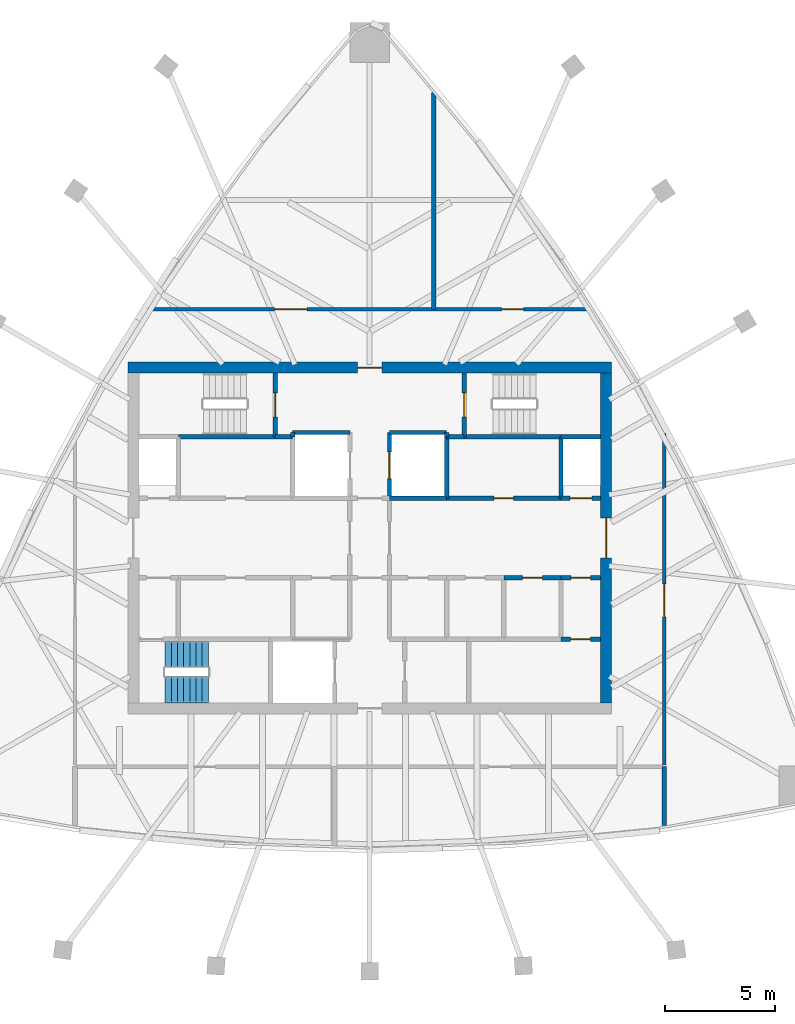
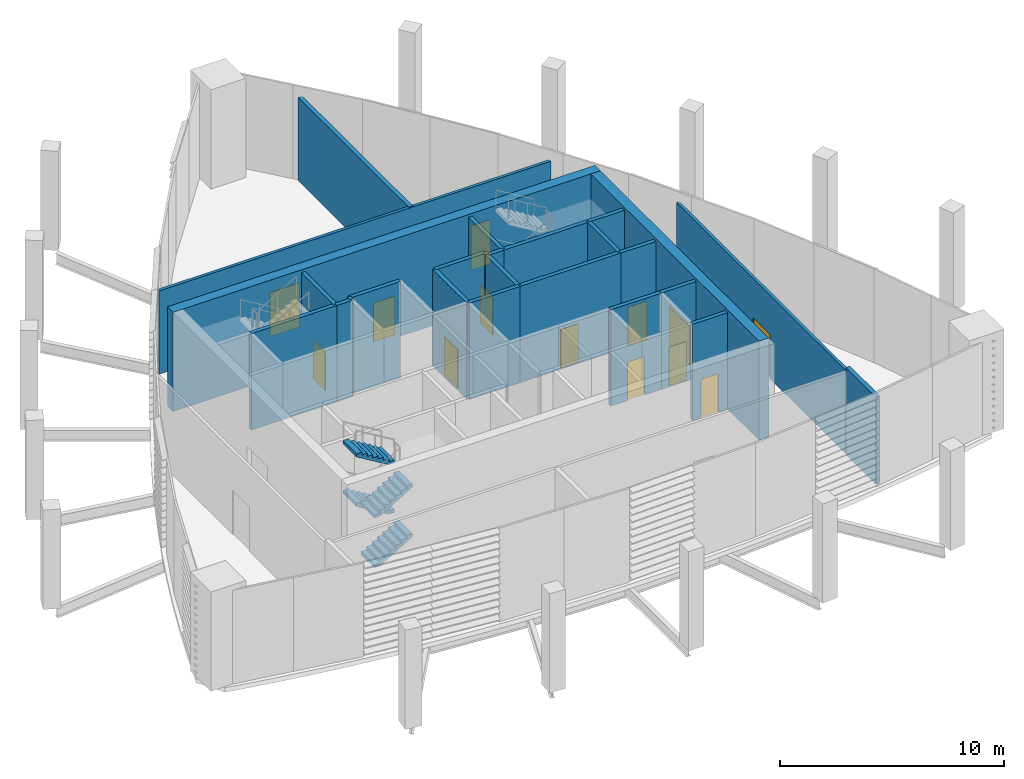
# One storey, part 4 of 8: 26 walls, 13 doors, 4 stair flights, 13 openings, 1 element without a shape of its own.
"""IFC4 building model written with IfcOpenShell, lengths in metres."""

from ifc_helpers import new_model, si_unit, direction, frame, frame_2d, origin, place, context, subcontext, project, spatial, polyline, rectangle, outline, extrude, material, layer, layer_set, type_object, element, fill, aggregate, save


model = new_model("IFC4")

# Units and contexts
model_context = context("Model", 3, precision=1e-05, world=origin(), true_north=direction((0.0, 1.0)))
body_context = subcontext(model_context, "Body", "Model", "MODEL_VIEW")
ifc_project = project(units=[si_unit("LENGTHUNIT", "METRE"), si_unit("AREAUNIT", "SQUARE_METRE"), si_unit("VOLUMEUNIT", "CUBIC_METRE"), si_unit("PLANEANGLEUNIT", "RADIAN"), si_unit("MASSUNIT", "GRAM", prefix="KILO")], contexts=[model_context])

# Site, building, storey
site_placement = place(None, origin())
site = spatial("IfcSite", under=ifc_project, at=site_placement, CompositionType="ELEMENT")
building_placement = place(site_placement, origin())
building = spatial("IfcBuilding", under=site, at=building_placement, Name="Sierra Prisma Convention Tower", CompositionType="ELEMENT")
storey_placement = place(building_placement, frame((0.0, 0.0, 350.199951171875)))
storey = spatial("IfcBuildingStorey", under=building, at=storey_placement, Name="L78", CompositionType="ELEMENT", Elevation=350.199951171875)

# Walls
ifc_material_1 = material(Name="Concrete C30/37", Category="concrete")
ifc_layer_1 = layer(ifc_material_1, 0.199951171875)
ifc_layer_set_1 = layer_set([ifc_layer_1], Name="Core wall RC 200 C30/37")
wall_type_1 = type_object("IfcWallType", Name="Core wall RC 200 C30/37", PredefinedType="SOLIDWALL", material=ifc_layer_set_1)
wall_1_placement = place(storey_placement, frame((-4.300048828125, 4.60009765625, 0.0), z_axis=(0.0, 0.0, 1.0), x_axis=(-1.0, 0.0, 0.0)))
element("IfcWall", 1, at=wall_1_placement, inside=storey, type_object=wall_type_1, Name="Core wall L78 10", PredefinedType="SOLIDWALL", context=body_context, shape_type="SweptSolid", body=[
    extrude(rectangle(XDim=4.39990234375, YDim=0.199951171875, at=frame_2d((2.199951171875, 0.0))), origin(), (0.0, 0.0, 1.0), 5.25),
])
wall_2_placement = place(storey_placement, frame((-3.5, 4.60009765625, 0.0), z_axis=(0.0, 0.0, 1.0), x_axis=(-1.0, 0.0, 0.0)))
element("IfcWall", 2, at=wall_2_placement, inside=storey, type_object=wall_type_1, Name="Core wall L78 13", PredefinedType="SOLIDWALL", context=body_context, shape_type="SweptSolid", body=[
    extrude(rectangle(XDim=0.800048828125, YDim=0.199951171875, at=frame_2d((0.39990234375, 0.0))), origin(), (0.0, 0.0, 1.0), 5.25),
])

# Wall, opening, door
wall_3_placement = place(storey_placement, frame((-4.300048828125, 4.60009765625, 0.0), z_axis=(0.0, 0.0, 1.0), x_axis=(0.0, 1.0, 0.0)))
wall_3 = element("IfcWall", 3, at=wall_3_placement, inside=storey, type_object=wall_type_1, Name="Core wall L78 14", PredefinedType="SOLIDWALL", context=body_context, shape_type="SweptSolid", body=[
    extrude(rectangle(XDim=2.89990234375, YDim=0.199951171875, at=frame_2d((1.449951171875, 0.0))), origin(), (0.0, 0.0, 1.0), 5.25),
])
opening_1_placement = place(wall_3_placement, frame((0.89990234375, 0.0, 0.0)))
opening_1 = element("IfcOpeningElement", 4, at=opening_1_placement, cuts=wall_3, Name="Opening L78-D012", PredefinedType="OPENING", context=body_context, shape_type="SweptSolid", body=[
    extrude(rectangle(XDim=1.10009765625, YDim=2.10009765625, at=frame_2d((0.550048828125, 1.050048828125))), frame((0.0, 0.10009765625, 0.0), z_axis=(0.0, -1.0, 0.0), x_axis=(1.0, 0.0, 0.0)), (0.0, 0.0, 1.0), 0.199951171875),
])
ifc_material_2 = material(Name="Steel fire door leaf", Category="steel")
door_type_1 = type_object("IfcDoorType", Name="Door 1100x2100 FD90S", OperationType="SINGLE_SWING_LEFT", PredefinedType="DOOR", material=ifc_material_2)
door_1_placement = place(opening_1_placement, origin())
door_1 = element("IfcDoor", 5, at=door_1_placement, inside=storey, type_object=door_type_1, Name="Door L78 18", OperationType="SINGLE_SWING_RIGHT", OverallHeight=2.10009765625, OverallWidth=1.10009765625, PredefinedType="DOOR", context=body_context, shape_type="SweptSolid", body=[
    extrude(rectangle(XDim=1.10009765625, YDim=2.10009765625, at=frame_2d((0.550048828125, 1.050048828125))), frame((0.0, 0.02490234375, 0.0), z_axis=(0.0, -1.0, 0.0), x_axis=(1.0, 0.0, 0.0)), (0.0, 0.0, 1.0), 0.050048828125),
])
fill(opening_1, door_1)

# Walls
wall_4_placement = place(storey_placement, frame((-0.89990234375, 4.800048828125, 0.0), z_axis=(0.0, 0.0, 1.0), x_axis=(-1.0, 0.0, 0.0)))
element("IfcWall", 6, at=wall_4_placement, inside=storey, type_object=wall_type_1, Name="Core wall L78 21", PredefinedType="SOLIDWALL", context=body_context, shape_type="SweptSolid", body=[
    extrude(rectangle(XDim=2.60009765625, YDim=0.199951171875, at=frame_2d((1.300048828125, 0.0))), origin(), (0.0, 0.0, 1.0), 5.25),
])
wall_5_placement = place(storey_placement, frame((-3.5, 4.800048828125, 0.0), z_axis=(0.0, 0.0, 1.0), x_axis=(0.0, -1.0, 0.0)))
element("IfcWall", 7, at=wall_5_placement, inside=storey, type_object=wall_type_1, Name="Core wall L78 22", PredefinedType="SOLIDWALL", context=body_context, shape_type="SweptSolid", body=[
    extrude(rectangle(XDim=0.199951171875, YDim=0.199951171875, at=frame_2d((0.10009765625, 0.0))), origin(), (0.0, 0.0, 1.0), 5.25),
])
wall_6_placement = place(storey_placement, frame((3.5, 1.800048828125, 0.0), z_axis=(0.0, 0.0, 1.0), x_axis=(-1.0, 0.0, 0.0)))
element("IfcWall", 8, at=wall_6_placement, inside=storey, type_object=wall_type_1, Name="Core wall L78 33", PredefinedType="SOLIDWALL", context=body_context, shape_type="SweptSolid", body=[
    extrude(rectangle(XDim=2.60009765625, YDim=0.199951171875, at=frame_2d((1.300048828125, 0.0))), origin(), (0.0, 0.0, 1.0), 5.25),
])
wall_7_placement = place(storey_placement, frame((3.5, 4.60009765625, 0.0), z_axis=(0.0, 0.0, 1.0), x_axis=(0.0, 1.0, 0.0)))
element("IfcWall", 9, at=wall_7_placement, inside=storey, type_object=wall_type_1, Name="Core wall L78 34", PredefinedType="SOLIDWALL", context=body_context, shape_type="SweptSolid", body=[
    extrude(rectangle(XDim=0.199951171875, YDim=0.199951171875, at=frame_2d((0.10009765625, 0.0))), origin(), (0.0, 0.0, 1.0), 5.25),
])
wall_8_placement = place(storey_placement, frame((3.5, 4.800048828125, 0.0), z_axis=(0.0, 0.0, 1.0), x_axis=(-1.0, 0.0, 0.0)))
element("IfcWall", 10, at=wall_8_placement, inside=storey, type_object=wall_type_1, Name="Core wall L78 35", PredefinedType="SOLIDWALL", context=body_context, shape_type="SweptSolid", body=[
    extrude(rectangle(XDim=2.60009765625, YDim=0.199951171875, at=frame_2d((1.300048828125, 0.0))), origin(), (0.0, 0.0, 1.0), 5.25),
])

# Wall, opening, door
wall_9_placement = place(storey_placement, frame((0.89990234375, 4.800048828125, 0.0), z_axis=(0.0, 0.0, 1.0), x_axis=(0.0, -1.0, 0.0)))
wall_9 = element("IfcWall", 11, at=wall_9_placement, inside=storey, type_object=wall_type_1, Name="Core wall L78 36", PredefinedType="SOLIDWALL", context=body_context, shape_type="SweptSolid", body=[
    extrude(rectangle(XDim=3.0, YDim=0.199951171875, at=frame_2d((1.5, 0.0))), origin(), (0.0, 0.0, 1.0), 5.25),
])
opening_2_placement = place(wall_9_placement, frame((0.89990234375, 0.0, 0.0)))
opening_2 = element("IfcOpeningElement", 12, at=opening_2_placement, cuts=wall_9, Name="Opening L78-D002", PredefinedType="OPENING", context=body_context, shape_type="SweptSolid", body=[
    extrude(rectangle(XDim=1.199951171875, YDim=2.10009765625, at=frame_2d((0.60009765625, 1.050048828125))), frame((0.0, 0.10009765625, 0.0), z_axis=(0.0, -1.0, 0.0), x_axis=(1.0, 0.0, 0.0)), (0.0, 0.0, 1.0), 0.199951171875),
])
ifc_material_3 = material(Name="Steel fire door leaf", Category="steel")
door_type_2 = type_object("IfcDoorType", Name="Door 1200x2100 EI 90 sliding lift landing", OperationType="SLIDING_TO_LEFT", PredefinedType="DOOR", material=ifc_material_3)
door_2_placement = place(opening_2_placement, origin())
door_2 = element("IfcDoor", 13, at=door_2_placement, inside=storey, type_object=door_type_2, Name="Door L78 8", OperationType="SLIDING_TO_RIGHT", OverallHeight=2.10009765625, OverallWidth=1.199951171875, PredefinedType="DOOR", context=body_context, shape_type="SweptSolid", body=[
    extrude(rectangle(XDim=1.199951171875, YDim=2.10009765625, at=frame_2d((0.60009765625, 1.050048828125))), frame((0.0, 0.02490234375, 0.0), z_axis=(0.0, -1.0, 0.0), x_axis=(1.0, 0.0, 0.0)), (0.0, 0.0, 1.0), 0.050048828125),
])
fill(opening_2, door_2)

wall_10_placement = place(storey_placement, frame((3.5, 1.800048828125, 0.0), z_axis=(0.0, 0.0, 1.0), x_axis=(1.0, 0.0, 0.0)))
wall_10 = element("IfcWall", 14, at=wall_10_placement, inside=storey, type_object=wall_type_1, Name="Core wall L78 42", PredefinedType="SOLIDWALL", context=body_context, shape_type="SweptSolid", body=[
    extrude(rectangle(XDim=5.199951171875, YDim=0.199951171875, at=frame_2d((2.60009765625, 0.0))), origin(), (0.0, 0.0, 1.0), 5.25),
])
opening_3_placement = place(wall_10_placement, frame((2.14990234375, 0.0, 0.0)))
opening_3 = element("IfcOpeningElement", 15, at=opening_3_placement, cuts=wall_10, Name="Opening L78-D014", PredefinedType="OPENING", context=body_context, shape_type="SweptSolid", body=[
    extrude(rectangle(XDim=0.89990234375, YDim=2.10009765625, at=frame_2d((0.449951171875, 1.050048828125))), frame((0.0, 0.10009765625, 0.0), z_axis=(0.0, -1.0, 0.0), x_axis=(1.0, 0.0, 0.0)), (0.0, 0.0, 1.0), 0.199951171875),
])
ifc_material_4 = material(Name="Steel fire door leaf", Category="steel")
door_type_3 = type_object("IfcDoorType", Name="Door 900x2100 FD30S", OperationType="SINGLE_SWING_LEFT", PredefinedType="DOOR", material=ifc_material_4)
door_3_placement = place(opening_3_placement, origin())
door_3 = element("IfcDoor", 16, at=door_3_placement, inside=storey, type_object=door_type_3, Name="Door L78 20", OperationType="SINGLE_SWING_RIGHT", OverallHeight=2.10009765625, OverallWidth=0.89990234375, PredefinedType="DOOR", context=body_context, shape_type="SweptSolid", body=[
    extrude(rectangle(XDim=0.89990234375, YDim=2.10009765625, at=frame_2d((0.449951171875, 1.050048828125))), frame((0.0, 0.02490234375, 0.0), z_axis=(0.0, -1.0, 0.0), x_axis=(1.0, 0.0, 0.0)), (0.0, 0.0, 1.0), 0.050048828125),
])
fill(opening_3, door_3)

# Walls
wall_11_placement = place(storey_placement, frame((3.5, 4.60009765625, 0.0), z_axis=(0.0, 0.0, 1.0), x_axis=(0.0, -1.0, 0.0)))
element("IfcWall", 17, at=wall_11_placement, inside=storey, type_object=wall_type_1, Name="Core wall L78 43", PredefinedType="SOLIDWALL", context=body_context, shape_type="SweptSolid", body=[
    extrude(rectangle(XDim=2.800048828125, YDim=0.199951171875, at=frame_2d((1.39990234375, 0.0))), origin(), (0.0, 0.0, 1.0), 5.25),
])
wall_12_placement = place(storey_placement, frame((4.300048828125, 4.60009765625, 0.0), z_axis=(0.0, 0.0, 1.0), x_axis=(-1.0, 0.0, 0.0)))
element("IfcWall", 18, at=wall_12_placement, inside=storey, type_object=wall_type_1, Name="Core wall L78 44", PredefinedType="SOLIDWALL", context=body_context, shape_type="SweptSolid", body=[
    extrude(rectangle(XDim=0.800048828125, YDim=0.199951171875, at=frame_2d((0.39990234375, 0.0))), origin(), (0.0, 0.0, 1.0), 5.25),
])
wall_13_placement = place(storey_placement, frame((8.699951171875, 4.60009765625, 0.0), z_axis=(0.0, 0.0, 1.0), x_axis=(-1.0, 0.0, 0.0)))
element("IfcWall", 19, at=wall_13_placement, inside=storey, type_object=wall_type_1, Name="Core wall L78 45", PredefinedType="SOLIDWALL", context=body_context, shape_type="SweptSolid", body=[
    extrude(rectangle(XDim=4.39990234375, YDim=0.199951171875, at=frame_2d((2.199951171875, 0.0))), origin(), (0.0, 0.0, 1.0), 5.25),
])

# Wall, opening, door
wall_14_placement = place(storey_placement, frame((4.300048828125, 7.5, 0.0), z_axis=(0.0, 0.0, 1.0), x_axis=(0.0, -1.0, 0.0)))
wall_14 = element("IfcWall", 20, at=wall_14_placement, inside=storey, type_object=wall_type_1, Name="Core wall L78 46", PredefinedType="SOLIDWALL", context=body_context, shape_type="SweptSolid", body=[
    extrude(rectangle(XDim=2.89990234375, YDim=0.199951171875, at=frame_2d((1.449951171875, 0.0))), origin(), (0.0, 0.0, 1.0), 5.25),
])
opening_4_placement = place(wall_14_placement, frame((0.89990234375, 0.0, 0.0)))
opening_4 = element("IfcOpeningElement", 21, at=opening_4_placement, cuts=wall_14, Name="Opening L78-D013", PredefinedType="OPENING", context=body_context, shape_type="SweptSolid", body=[
    extrude(rectangle(XDim=1.10009765625, YDim=2.10009765625, at=frame_2d((0.550048828125, 1.050048828125))), frame((0.0, 0.10009765625, 0.0), z_axis=(0.0, -1.0, 0.0), x_axis=(1.0, 0.0, 0.0)), (0.0, 0.0, 1.0), 0.199951171875),
])
door_4_placement = place(opening_4_placement, origin())
door_4 = element("IfcDoor", 22, at=door_4_placement, inside=storey, type_object=door_type_1, Name="Door L78 19", OperationType="SINGLE_SWING_RIGHT", OverallHeight=2.10009765625, OverallWidth=1.10009765625, PredefinedType="DOOR", context=body_context, shape_type="SweptSolid", body=[
    extrude(rectangle(XDim=1.10009765625, YDim=2.10009765625, at=frame_2d((0.550048828125, 1.050048828125))), frame((0.0, 0.02490234375, 0.0), z_axis=(0.0, -1.0, 0.0), x_axis=(1.0, 0.0, 0.0)), (0.0, 0.0, 1.0), 0.050048828125),
])
fill(opening_4, door_4)

wall_15_placement = place(storey_placement, frame((8.699951171875, -1.800048828125, 0.0), z_axis=(0.0, 0.0, 1.0), x_axis=(-1.0, 0.0, 0.0)))
wall_15 = element("IfcWall", 23, at=wall_15_placement, inside=storey, type_object=wall_type_1, Name="Core wall L78 51", PredefinedType="SOLIDWALL", context=body_context, shape_type="SweptSolid", body=[
    extrude(rectangle(XDim=2.599853515625, YDim=0.199951171875, at=frame_2d((1.2998046875, 0.0))), origin(), (0.0, 0.0, 1.0), 5.25),
])
opening_5_placement = place(wall_15_placement, frame((0.85009765625, 0.0, 0.0)))
opening_5 = element("IfcOpeningElement", 24, at=opening_5_placement, cuts=wall_15, Name="Opening L78-D019", PredefinedType="OPENING", context=body_context, shape_type="SweptSolid", body=[
    extrude(rectangle(XDim=0.89990234375, YDim=2.10009765625, at=frame_2d((0.449951171875, 1.050048828125))), frame((0.0, 0.10009765625, 0.0), z_axis=(0.0, -1.0, 0.0), x_axis=(1.0, 0.0, 0.0)), (0.0, 0.0, 1.0), 0.199951171875),
])
door_5_placement = place(opening_5_placement, origin())
door_5 = element("IfcDoor", 25, at=door_5_placement, inside=storey, type_object=door_type_3, Name="Door L78 25", OperationType="SINGLE_SWING_LEFT", OverallHeight=2.10009765625, OverallWidth=0.89990234375, PredefinedType="DOOR", context=body_context, shape_type="SweptSolid", body=[
    extrude(rectangle(XDim=0.89990234375, YDim=2.10009765625, at=frame_2d((0.449951171875, 1.050048828125))), frame((0.0, 0.02490234375, 0.0), z_axis=(0.0, -1.0, 0.0), x_axis=(1.0, 0.0, 0.0)), (0.0, 0.0, 1.0), 0.050048828125),
])
fill(opening_5, door_5)

wall_16_placement = place(storey_placement, frame((10.5, -4.60009765625, 0.0), z_axis=(0.0, 0.0, 1.0), x_axis=(-1.0, 0.0, 0.0)))
wall_16 = element("IfcWall", 26, at=wall_16_placement, inside=storey, type_object=wall_type_1, Name="Core wall L78 52", PredefinedType="SOLIDWALL", context=body_context, shape_type="SweptSolid", body=[
    extrude(rectangle(XDim=1.800048828125, YDim=0.199951171875, at=frame_2d((0.89990234375, 0.0))), origin(), (0.0, 0.0, 1.0), 5.25),
])
opening_6_placement = place(wall_16_placement, frame((0.4599609375, 0.0, 0.0)))
opening_6 = element("IfcOpeningElement", 27, at=opening_6_placement, cuts=wall_16, Name="Opening L78-D021", PredefinedType="OPENING", context=body_context, shape_type="SweptSolid", body=[
    extrude(rectangle(XDim=0.89990234375, YDim=2.10009765625, at=frame_2d((0.449951171875, 1.050048828125))), frame((0.0, 0.10009765625, 0.0), z_axis=(0.0, -1.0, 0.0), x_axis=(1.0, 0.0, 0.0)), (0.0, 0.0, 1.0), 0.199951171875),
])
door_6_placement = place(opening_6_placement, origin())
door_6 = element("IfcDoor", 28, at=door_6_placement, inside=storey, type_object=door_type_3, Name="Door L78 27", OperationType="SINGLE_SWING_LEFT", OverallHeight=2.10009765625, OverallWidth=0.89990234375, PredefinedType="DOOR", context=body_context, shape_type="SweptSolid", body=[
    extrude(rectangle(XDim=0.89990234375, YDim=2.10009765625, at=frame_2d((0.449951171875, 1.050048828125))), frame((0.0, 0.02490234375, 0.0), z_axis=(0.0, -1.0, 0.0), x_axis=(1.0, 0.0, 0.0)), (0.0, 0.0, 1.0), 0.050048828125),
])
fill(opening_6, door_6)

wall_17_placement = place(storey_placement, frame((8.699951171875, -1.800048828125, 0.0), z_axis=(0.0, 0.0, 1.0), x_axis=(1.0, 0.0, 0.0)))
wall_17 = element("IfcWall", 29, at=wall_17_placement, inside=storey, type_object=wall_type_1, Name="Core wall L78 54", PredefinedType="SOLIDWALL", context=body_context, shape_type="SweptSolid", body=[
    extrude(rectangle(XDim=1.800048828125, YDim=0.199951171875, at=frame_2d((0.89990234375, 0.0))), origin(), (0.0, 0.0, 1.0), 5.25),
])
opening_7_placement = place(wall_17_placement, frame((0.449951171875, 0.0, 0.0)))
opening_7 = element("IfcOpeningElement", 30, at=opening_7_placement, cuts=wall_17, Name="Opening L78-D022", PredefinedType="OPENING", context=body_context, shape_type="SweptSolid", body=[
    extrude(rectangle(XDim=0.89990234375, YDim=2.10009765625, at=frame_2d((0.449951171875, 1.050048828125))), frame((0.0, 0.10009765625, 0.0), z_axis=(0.0, -1.0, 0.0), x_axis=(1.0, 0.0, 0.0)), (0.0, 0.0, 1.0), 0.199951171875),
])
door_7_placement = place(opening_7_placement, origin())
door_7 = element("IfcDoor", 31, at=door_7_placement, inside=storey, type_object=door_type_3, Name="Door L78 28", OperationType="SINGLE_SWING_RIGHT", OverallHeight=2.10009765625, OverallWidth=0.89990234375, PredefinedType="DOOR", context=body_context, shape_type="SweptSolid", body=[
    extrude(rectangle(XDim=0.89990234375, YDim=2.10009765625, at=frame_2d((0.449951171875, 1.050048828125))), frame((0.0, 0.02490234375, 0.0), z_axis=(0.0, -1.0, 0.0), x_axis=(1.0, 0.0, 0.0)), (0.0, 0.0, 1.0), 0.050048828125),
])
fill(opening_7, door_7)

wall_18_placement = place(storey_placement, frame((10.5, 1.800048828125, 0.0), z_axis=(0.0, 0.0, 1.0), x_axis=(-1.0, 0.0, 0.0)))
wall_18 = element("IfcWall", 32, at=wall_18_placement, inside=storey, type_object=wall_type_1, Name="Core wall L78 55", PredefinedType="SOLIDWALL", context=body_context, shape_type="SweptSolid", body=[
    extrude(rectangle(XDim=1.800048828125, YDim=0.199951171875, at=frame_2d((0.89990234375, 0.0))), origin(), (0.0, 0.0, 1.0), 5.25),
])
opening_8_placement = place(wall_18_placement, frame((0.39990234375, 0.0, 0.0)))
opening_8 = element("IfcOpeningElement", 33, at=opening_8_placement, cuts=wall_18, Name="Opening L78-D010", PredefinedType="OPENING", context=body_context, shape_type="SweptSolid", body=[
    extrude(rectangle(XDim=1.0, YDim=2.10009765625, at=frame_2d((0.5, 1.050048828125))), frame((0.0, 0.10009765625, 0.0), z_axis=(0.0, -1.0, 0.0), x_axis=(1.0, 0.0, 0.0)), (0.0, 0.0, 1.0), 0.199951171875),
])
ifc_material_5 = material(Name="Steel fire door leaf", Category="steel")
door_type_4 = type_object("IfcDoorType", Name="Door 1000x2100 FD60S", OperationType="SINGLE_SWING_LEFT", PredefinedType="DOOR", material=ifc_material_5)
door_8_placement = place(opening_8_placement, origin())
door_8 = element("IfcDoor", 34, at=door_8_placement, inside=storey, type_object=door_type_4, Name="Door L78 16", OperationType="SINGLE_SWING_RIGHT", OverallHeight=2.10009765625, OverallWidth=1.0, PredefinedType="DOOR", context=body_context, shape_type="SweptSolid", body=[
    extrude(rectangle(XDim=1.0, YDim=2.10009765625, at=frame_2d((0.5, 1.050048828125))), frame((0.0, 0.02490234375, 0.0), z_axis=(0.0, -1.0, 0.0), x_axis=(1.0, 0.0, 0.0)), (0.0, 0.0, 1.0), 0.050048828125),
])
fill(opening_8, door_8)

# Walls
wall_19_placement = place(storey_placement, frame((8.699951171875, 1.800048828125, 0.0), z_axis=(0.0, 0.0, 1.0), x_axis=(0.0, 1.0, 0.0)))
element("IfcWall", 35, at=wall_19_placement, inside=storey, type_object=wall_type_1, Name="Core wall L78 56", PredefinedType="SOLIDWALL", context=body_context, shape_type="SweptSolid", body=[
    extrude(rectangle(XDim=2.800048828125, YDim=0.199951171875, at=frame_2d((1.39990234375, 0.0))), origin(), (0.0, 0.0, 1.0), 5.25),
])
wall_20_placement = place(storey_placement, frame((10.5, 4.60009765625, 0.0), z_axis=(0.0, 0.0, 1.0), x_axis=(-1.0, 0.0, 0.0)))
element("IfcWall", 36, at=wall_20_placement, inside=storey, type_object=wall_type_1, Name="Core wall L78 57", PredefinedType="SOLIDWALL", context=body_context, shape_type="SweptSolid", body=[
    extrude(rectangle(XDim=1.800048828125, YDim=0.199951171875, at=frame_2d((0.89990234375, 0.0))), origin(), (0.0, 0.0, 1.0), 5.25),
])

# Wall, opening, door
ifc_material_6 = material(Name="Concrete C50/60", Category="concrete")
ifc_layer_2 = layer(ifc_material_6, 0.5)
ifc_layer_set_2 = layer_set([ifc_layer_2], Name="Core wall RC 500 C50/60")
wall_type_2 = type_object("IfcWallType", Name="Core wall RC 500 C50/60", PredefinedType="SHEAR", material=ifc_layer_set_2)
wall_21_placement = place(storey_placement, frame((-11.0, 7.75, 0.0), z_axis=(0.0, 0.0, 1.0), x_axis=(1.0, 0.0, 0.0)))
wall_21 = element("IfcWall", 37, at=wall_21_placement, inside=storey, type_object=wall_type_2, Name="Core wall N L78", PredefinedType="SHEAR", context=body_context, shape_type="SweptSolid", body=[
    extrude(rectangle(XDim=22.0, YDim=0.5, at=frame_2d((11.0, 0.0))), origin(), (0.0, 0.0, 1.0), 5.400146484375),
])
opening_9_placement = place(wall_21_placement, frame((10.449951171875, 0.0, 0.0)))
opening_9 = element("IfcOpeningElement", 38, at=opening_9_placement, cuts=wall_21, Name="Opening L78-D031", PredefinedType="OPENING", context=body_context, shape_type="SweptSolid", body=[
    extrude(rectangle(XDim=1.10009765625, YDim=2.10009765625, at=frame_2d((0.550048828125, 1.050048828125))), frame((0.0, 0.25, 0.0), z_axis=(0.0, -1.0, 0.0), x_axis=(1.0, 0.0, 0.0)), (0.0, 0.0, 1.0), 0.5),
])
ifc_material_7 = material(Name="Steel fire door leaf", Category="steel")
door_type_5 = type_object("IfcDoorType", Name="Door 1100x2100 FD60S", OperationType="SINGLE_SWING_LEFT", PredefinedType="DOOR", material=ifc_material_7)
door_9_placement = place(opening_9_placement, origin())
door_9 = element("IfcDoor", 39, at=door_9_placement, inside=storey, type_object=door_type_5, Name="Door L78 32", OperationType="SINGLE_SWING_LEFT", OverallHeight=2.10009765625, OverallWidth=1.10009765625, PredefinedType="DOOR", context=body_context, shape_type="SweptSolid", body=[
    extrude(rectangle(XDim=1.10009765625, YDim=2.10009765625, at=frame_2d((0.550048828125, 1.050048828125))), frame((0.0, 0.02490234375, 0.0), z_axis=(0.0, -1.0, 0.0), x_axis=(1.0, 0.0, 0.0)), (0.0, 0.0, 1.0), 0.050048828125),
])
fill(opening_9, door_9)

wall_22_placement = place(storey_placement, frame((10.75, -7.5, 0.0), z_axis=(0.0, 0.0, 1.0), x_axis=(0.0, 1.0, 0.0)))
wall_22 = element("IfcWall", 40, at=wall_22_placement, inside=storey, type_object=wall_type_2, Name="Core wall E L78", PredefinedType="SHEAR", context=body_context, shape_type="SweptSolid", body=[
    extrude(rectangle(XDim=15.0, YDim=0.5, at=frame_2d((7.5, 0.0))), origin(), (0.0, 0.0, 1.0), 5.400146484375),
])
opening_10_placement = place(wall_22_placement, frame((6.60009765625, 0.0, 0.0)))
opening_10 = element("IfcOpeningElement", 41, at=opening_10_placement, cuts=wall_22, Name="Opening L78-D030", PredefinedType="OPENING", context=body_context, shape_type="SweptSolid", body=[
    extrude(rectangle(XDim=1.800048828125, YDim=2.10009765625, at=frame_2d((0.89990234375, 1.050048828125))), frame((0.0, 0.25, 0.0), z_axis=(0.0, -1.0, 0.0), x_axis=(1.0, 0.0, 0.0)), (0.0, 0.0, 1.0), 0.5),
])
ifc_material_8 = material(Name="Steel fire door leaf", Category="steel")
door_type_6 = type_object("IfcDoorType", Name="Door 1800x2100 FD60S", OperationType="DOUBLE_DOOR_SINGLE_SWING", PredefinedType="DOOR", material=ifc_material_8)
door_10_placement = place(opening_10_placement, origin())
door_10 = element("IfcDoor", 42, at=door_10_placement, inside=storey, type_object=door_type_6, Name="Door L78 31", OperationType="DOUBLE_DOOR_SINGLE_SWING", OverallHeight=2.10009765625, OverallWidth=1.800048828125, PredefinedType="DOOR", context=body_context, shape_type="SweptSolid", body=[
    extrude(rectangle(XDim=1.800048828125, YDim=2.10009765625, at=frame_2d((0.89990234375, 1.050048828125))), frame((0.0, 0.02490234375, 0.0), z_axis=(0.0, -1.0, 0.0), x_axis=(1.0, 0.0, 0.0)), (0.0, 0.0, 1.0), 0.050048828125),
])
fill(opening_10, door_10)

# Wall, openings, doors
ifc_material_9 = material(Name="Gypsum board partition", Category="gypsum")
ifc_layer_3 = layer(ifc_material_9, 0.14990234375)
ifc_layer_set_3 = layer_set([ifc_layer_3], Name="Corridor wall 150 gypsum EI 60")
wall_type_3 = type_object("IfcWallType", Name="Corridor wall 150 gypsum EI 60", PredefinedType="PARTITIONING", material=ifc_layer_set_3)
wall_23_placement = place(storey_placement, frame((10.08935546875, 10.39990234375, 0.0), z_axis=(0.0, 0.0, 1.0), x_axis=(-1.0, 0.0, 0.0)))
wall_23 = element("IfcWall", 43, at=wall_23_placement, inside=storey, type_object=wall_type_3, Name="Partition L78 corr 3", PredefinedType="PARTITIONING", context=body_context, shape_type="SweptSolid", body=[
    extrude(rectangle(XDim=20.1787109375, YDim=0.14990234375, at=frame_2d((10.08935546875, 0.0))), origin(), (0.0, 0.0, 1.0), 4.532958984375),
])
opening_11_placement = place(wall_23_placement, frame((3.08935546875, 0.0, 0.0)))
opening_11 = element("IfcOpeningElement", 44, at=opening_11_placement, cuts=wall_23, Name="Opening L78-D024", PredefinedType="OPENING", context=body_context, shape_type="SweptSolid", body=[
    extrude(rectangle(XDim=1.0, YDim=2.39990234375, at=frame_2d((0.5, 1.199951171875))), frame((0.0, 0.074951171875, 0.0), z_axis=(0.0, -1.0, 0.0), x_axis=(1.0, 0.0, 0.0)), (0.0, 0.0, 1.0), 0.14990234375),
])
opening_12_placement = place(wall_23_placement, frame((12.9287109375, 0.0, 0.0)))
opening_12 = element("IfcOpeningElement", 45, at=opening_12_placement, cuts=wall_23, Name="Opening L78-D025", PredefinedType="OPENING", context=body_context, shape_type="SweptSolid", body=[
    extrude(rectangle(XDim=1.5, YDim=2.39990234375, at=frame_2d((0.75, 1.199951171875))), frame((0.0, 0.074951171875, 0.0), z_axis=(0.0, -1.0, 0.0), x_axis=(1.0, 0.0, 0.0)), (0.0, 0.0, 1.0), 0.14990234375),
])
ifc_material_10 = material(Name="Steel fire door leaf", Category="steel")
door_type_7 = type_object("IfcDoorType", Name="Door 1000x2400 FD60S", OperationType="SINGLE_SWING_LEFT", PredefinedType="DOOR", material=ifc_material_10)
door_11_placement = place(opening_11_placement, origin())
door_11 = element("IfcDoor", 46, at=door_11_placement, inside=storey, type_object=door_type_7, Name="Door L78 1", OperationType="SINGLE_SWING_LEFT", OverallHeight=2.39990234375, OverallWidth=1.0, PredefinedType="DOOR", context=body_context, shape_type="SweptSolid", body=[
    extrude(rectangle(XDim=1.0, YDim=2.39990234375, at=frame_2d((0.5, 1.199951171875))), frame((0.0, 0.02490234375, 0.0), z_axis=(0.0, -1.0, 0.0), x_axis=(1.0, 0.0, 0.0)), (0.0, 0.0, 1.0), 0.050048828125),
])
fill(opening_11, door_11)
ifc_material_11 = material(Name="Steel fire door leaf", Category="steel")
door_type_8 = type_object("IfcDoorType", Name="Door 1500x2400 FD60S", OperationType="DOUBLE_DOOR_SINGLE_SWING", PredefinedType="DOOR", material=ifc_material_11)
door_12_placement = place(opening_12_placement, origin())
door_12 = element("IfcDoor", 47, at=door_12_placement, inside=storey, type_object=door_type_8, Name="Door L78 2", OperationType="DOUBLE_DOOR_SINGLE_SWING", OverallHeight=2.39990234375, OverallWidth=1.5, PredefinedType="DOOR", context=body_context, shape_type="SweptSolid", body=[
    extrude(rectangle(XDim=1.5, YDim=2.39990234375, at=frame_2d((0.75, 1.199951171875))), frame((0.0, 0.02490234375, 0.0), z_axis=(0.0, -1.0, 0.0), x_axis=(1.0, 0.0, 0.0)), (0.0, 0.0, 1.0), 0.050048828125),
])
fill(opening_12, door_12)

# Wall, opening, door
wall_24_placement = place(storey_placement, frame((13.39990234375, -10.320068359375, 0.0), z_axis=(0.0, 0.0, 1.0), x_axis=(0.0, 1.0, 0.0)))
wall_24 = element("IfcWall", 48, at=wall_24_placement, inside=storey, type_object=wall_type_3, Name="Partition L78 corr 4", PredefinedType="PARTITIONING", context=body_context, shape_type="SweptSolid", body=[
    extrude(rectangle(XDim=15.07177734375, YDim=0.14990234375, at=frame_2d((7.535888671875, 0.0))), origin(), (0.0, 0.0, 1.0), 4.532958984375),
])
opening_13_placement = place(wall_24_placement, frame((6.73583984375, 0.0, 0.0)))
opening_13 = element("IfcOpeningElement", 49, at=opening_13_placement, cuts=wall_24, Name="Opening L78-D029", PredefinedType="OPENING", context=body_context, shape_type="SweptSolid", body=[
    extrude(rectangle(XDim=1.5, YDim=2.39990234375, at=frame_2d((0.75, 1.199951171875))), frame((0.0, 0.074951171875, 0.0), z_axis=(0.0, -1.0, 0.0), x_axis=(1.0, 0.0, 0.0)), (0.0, 0.0, 1.0), 0.14990234375),
])
door_13_placement = place(opening_13_placement, origin())
door_13 = element("IfcDoor", 50, at=door_13_placement, inside=storey, type_object=door_type_8, Name="Door L78 6", OperationType="DOUBLE_DOOR_SINGLE_SWING", OverallHeight=2.39990234375, OverallWidth=1.5, PredefinedType="DOOR", context=body_context, shape_type="SweptSolid", body=[
    extrude(rectangle(XDim=1.5, YDim=2.39990234375, at=frame_2d((0.75, 1.199951171875))), frame((0.0, 0.02490234375, 0.0), z_axis=(0.0, -1.0, 0.0), x_axis=(1.0, 0.0, 0.0)), (0.0, 0.0, 1.0), 0.050048828125),
])
fill(opening_13, door_13)

# Walls
ifc_material_12 = material(Name="Hollow clay block masonry", Category="masonry")
ifc_layer_4 = layer(ifc_material_12, 0.215087890625)
ifc_layer_set_4 = layer_set([ifc_layer_4], Name="Plant room wall 215 blockwork EI 120")
wall_type_4 = type_object("IfcWallType", Name="Plant room wall 215 blockwork EI 120", PredefinedType="PARTITIONING", material=ifc_layer_set_4)
wall_25_placement = place(storey_placement, frame((2.91064453125, 10.39990234375, 0.0), z_axis=(0.0, 0.0, 1.0), x_axis=(0.0, 1.0, 0.0)))
element("IfcWall", 51, at=wall_25_placement, inside=storey, type_object=wall_type_4, Name="Partition L78 plant 3", PredefinedType="PARTITIONING", context=body_context, shape_type="SweptSolid", body=[
    extrude(rectangle(XDim=9.858642578125, YDim=0.215087890625, at=frame_2d((4.92919921875, 0.0))), origin(), (0.0, 0.0, 1.0), 4.532958984375),
])
wall_26_placement = place(storey_placement, frame((13.39990234375, -10.39990234375, 0.0), z_axis=(0.0, 0.0, 1.0), x_axis=(0.0, -1.0, 0.0)))
element("IfcWall", 52, at=wall_26_placement, inside=storey, type_object=wall_type_4, Name="Partition L78 plant 4", PredefinedType="PARTITIONING", context=body_context, shape_type="SweptSolid", body=[
    extrude(rectangle(XDim=2.67041015625, YDim=0.215087890625, at=frame_2d((1.335205078125, 0.0))), origin(), (0.0, 0.0, 1.0), 4.75),
])

# Stair, stair flights
ifc_material_13 = material(Name="Concrete C30/37", Category="concrete")
stair_type = type_object("IfcStairType", Name="Stair dog-leg 1200 RC", PredefinedType="HALF_TURN_STAIR", material=ifc_material_13)
stair_placement = place(storey_placement, origin())
stair = element("IfcStair", 53, at=stair_placement, inside=storey, type_object=stair_type, Name="L78 S1", PredefinedType="HALF_TURN_STAIR")
ifc_material_14 = material(Name="Concrete C30/37", Category="concrete")
stair_flight_type = type_object("IfcStairFlightType", Name="Stair flight RC 1200", PredefinedType="STRAIGHT", material=ifc_material_14)
stair_flight_1_placement = place(storey_placement, frame((-9.300048828125, -6.89990234375, 0.0), z_axis=(0.0, 0.0, 1.0), x_axis=(1.0, 0.0, 0.0)))
stair_flight_1 = element("IfcStairFlight", 54, at=stair_flight_1_placement, type_object=stair_flight_type, Name="S1 flight 1", NumberOfRisers=8, NumberOfTreads=7, PredefinedType="STRAIGHT", RiserHeight=0.16875, TreadLength=0.28, context=body_context, shape_type="SweptSolid", body=[
    extrude(outline(polyline([(0.0, 0.0), (0.0, 0.168701171875), (0.280029296875, 0.168701171875), (0.280029296875, 0.33740234375), (0.56005859375, 0.33740234375), (0.56005859375, 0.50634765625), (0.840087890625, 0.50634765625), (0.840087890625, 0.675048828125), (1.1201171875, 0.675048828125), (1.1201171875, 0.84375), (1.39990234375, 0.84375), (1.39990234375, 1.012451171875), (1.679931640625, 1.012451171875), (1.679931640625, 1.18115234375), (1.9599609375, 1.18115234375), (1.9599609375, 1.35009765625), (1.9599609375, 1.00634765625), (0.29052734375, 0.0), (0.0, 0.0)])), frame((0.0, 0.60009765625, 0.0), z_axis=(0.0, -1.0, 0.0), x_axis=(1.0, 0.0, 0.0)), (0.0, 0.0, 1.0), 1.199951171875),
])
stair_flight_2_placement = place(storey_placement, frame((-7.340087890625, -5.300048828125, 1.35009765625), z_axis=(0.0, 0.0, 1.0), x_axis=(-1.0, 0.0, 0.0)))
stair_flight_2 = element("IfcStairFlight", 55, at=stair_flight_2_placement, type_object=stair_flight_type, Name="S1 flight 2", NumberOfRisers=8, NumberOfTreads=7, PredefinedType="STRAIGHT", RiserHeight=0.16875, TreadLength=0.28, context=body_context, shape_type="SweptSolid", body=[
    extrude(outline(polyline([(0.0, 0.0), (0.0, 0.168701171875), (0.280029296875, 0.168701171875), (0.280029296875, 0.33740234375), (0.56005859375, 0.33740234375), (0.56005859375, 0.50634765625), (0.840087890625, 0.50634765625), (0.840087890625, 0.675048828125), (1.1201171875, 0.675048828125), (1.1201171875, 0.84375), (1.39990234375, 0.84375), (1.39990234375, 1.012451171875), (1.679931640625, 1.012451171875), (1.679931640625, 1.18115234375), (1.9599609375, 1.18115234375), (1.9599609375, 1.35009765625), (1.9599609375, 1.00634765625), (0.29052734375, 0.0), (0.0, 0.0)])), frame((0.0, 0.60009765625, 0.0), z_axis=(0.0, -1.0, 0.0), x_axis=(1.0, 0.0, 0.0)), (0.0, 0.0, 1.0), 1.199951171875),
])
stair_flight_3_placement = place(storey_placement, frame((-9.300048828125, -6.89990234375, 2.699951171875), z_axis=(0.0, 0.0, 1.0), x_axis=(1.0, 0.0, 0.0)))
stair_flight_3 = element("IfcStairFlight", 56, at=stair_flight_3_placement, type_object=stair_flight_type, Name="S1 flight 3", NumberOfRisers=8, NumberOfTreads=7, PredefinedType="STRAIGHT", RiserHeight=0.16875, TreadLength=0.28, context=body_context, shape_type="SweptSolid", body=[
    extrude(outline(polyline([(0.0, 0.0), (0.0, 0.168701171875), (0.280029296875, 0.168701171875), (0.280029296875, 0.33740234375), (0.56005859375, 0.33740234375), (0.56005859375, 0.50634765625), (0.840087890625, 0.50634765625), (0.840087890625, 0.675048828125), (1.1201171875, 0.675048828125), (1.1201171875, 0.84375), (1.39990234375, 0.84375), (1.39990234375, 1.012451171875), (1.679931640625, 1.012451171875), (1.679931640625, 1.18115234375), (1.9599609375, 1.18115234375), (1.9599609375, 1.35009765625), (1.9599609375, 1.00634765625), (0.29052734375, 0.0), (0.0, 0.0)])), frame((0.0, 0.60009765625, 0.0), z_axis=(0.0, -1.0, 0.0), x_axis=(1.0, 0.0, 0.0)), (0.0, 0.0, 1.0), 1.199951171875),
])
stair_flight_4_placement = place(storey_placement, frame((-7.340087890625, -5.300048828125, 4.050048828125), z_axis=(0.0, 0.0, 1.0), x_axis=(-1.0, 0.0, 0.0)))
stair_flight_4 = element("IfcStairFlight", 57, at=stair_flight_4_placement, type_object=stair_flight_type, Name="S1 flight 4", NumberOfRisers=8, NumberOfTreads=7, PredefinedType="STRAIGHT", RiserHeight=0.16875, TreadLength=0.28, context=body_context, shape_type="SweptSolid", body=[
    extrude(outline(polyline([(0.0, 0.0), (0.0, 0.168701171875), (0.280029296875, 0.168701171875), (0.280029296875, 0.33740234375), (0.56005859375, 0.33740234375), (0.56005859375, 0.50634765625), (0.840087890625, 0.50634765625), (0.840087890625, 0.675048828125), (1.1201171875, 0.675048828125), (1.1201171875, 0.84375), (1.39990234375, 0.84375), (1.39990234375, 1.012451171875), (1.679931640625, 1.012451171875), (1.679931640625, 1.18115234375), (1.9599609375, 1.18115234375), (1.9599609375, 1.35009765625), (1.9599609375, 1.00634765625), (0.29052734375, 0.0), (0.0, 0.0)])), frame((0.0, 0.60009765625, 0.0), z_axis=(0.0, -1.0, 0.0), x_axis=(1.0, 0.0, 0.0)), (0.0, 0.0, 1.0), 1.199951171875),
])
aggregate(stair, [stair_flight_1, stair_flight_2, stair_flight_3, stair_flight_4])

save(model, "model.ifc")
